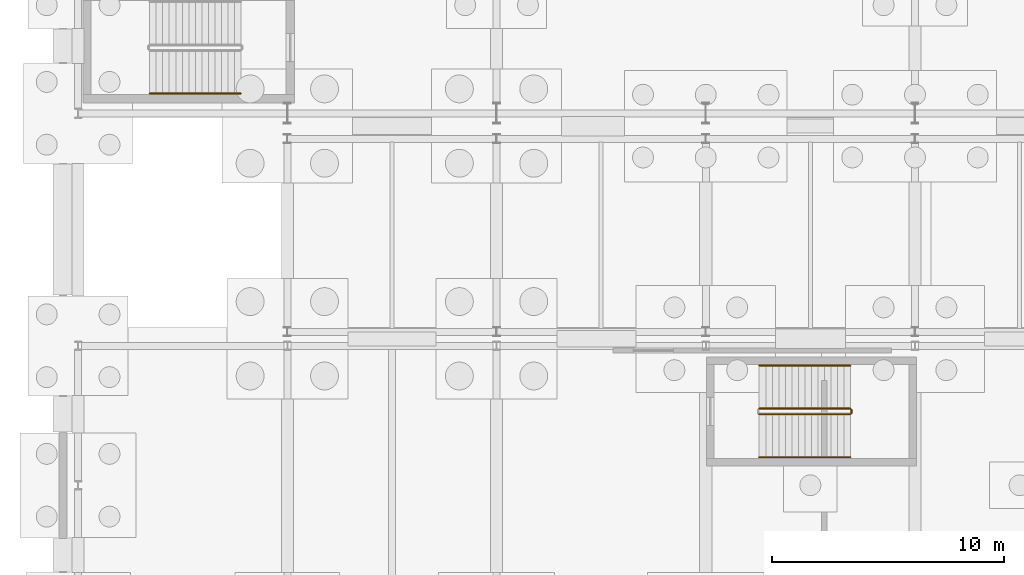
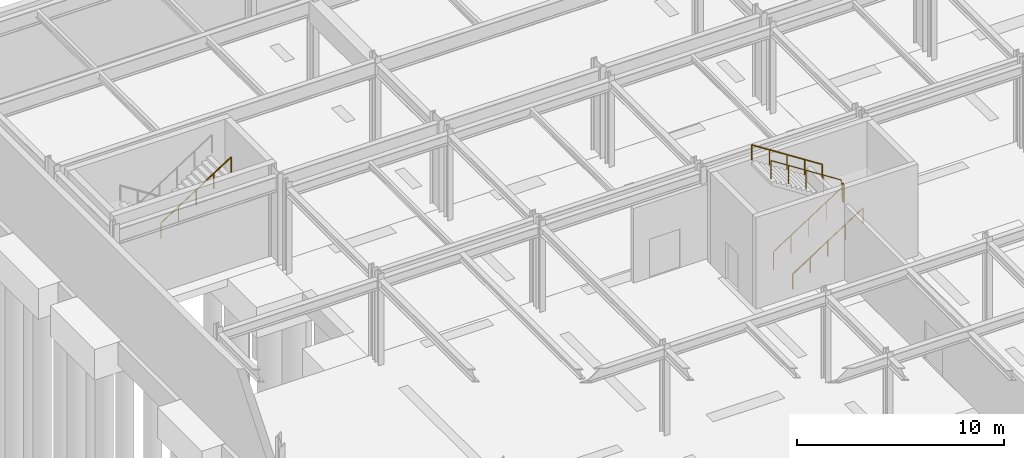
# One storey, part 55 of 65: 6 railings.
"""IFC4 building model written with IfcOpenShell, lengths in metres."""

from ifc_helpers import new_model, si_unit, direction, frame, origin, origin_2d, place, context, subcontext, project, spatial, circle, extrude, material, type_object, element, save


model = new_model("IFC4")

# Units and contexts
model_context = context("Model", 3, precision=1e-05, world=origin(), true_north=direction((0.0, 1.0)))
body_context = subcontext(model_context, "Body", "Model", "MODEL_VIEW")
ifc_project = project(units=[si_unit("LENGTHUNIT", "METRE"), si_unit("AREAUNIT", "SQUARE_METRE"), si_unit("VOLUMEUNIT", "CUBIC_METRE"), si_unit("PLANEANGLEUNIT", "RADIAN"), si_unit("MASSUNIT", "GRAM", prefix="KILO")], contexts=[model_context])

# Site, building, storey
site_placement = place(None, origin())
site = spatial("IfcSite", under=ifc_project, at=site_placement, CompositionType="ELEMENT")
building_placement = place(site_placement, origin())
building = spatial("IfcBuilding", under=site, at=building_placement, Name="Kaldris Quays Convention Centre", CompositionType="ELEMENT")
storey_placement = place(building_placement, frame((0.0, 0.0, -5.39990234375)))
storey = spatial("IfcBuildingStorey", under=building, at=storey_placement, Name="B1", CompositionType="ELEMENT", Elevation=-5.39990234375)

# Railings
ifc_material_1 = material(Name="Steel S355J2", Category="steel")
railing_type_1 = type_object("IfcRailingType", Name="INTERIOR GUARDRAIL GR01", PredefinedType="GUARDRAIL", material=ifc_material_1)
railing_1_placement = place(storey_placement, frame((49.300048828125, 43.050048828125, 0.179931640625)))
element("IfcRailing", 1, at=railing_1_placement, inside=storey, type_object=railing_type_1, Name="B1 ST07 Stair Guardrail 1", PredefinedType="GUARDRAIL", context=body_context, shape_type="SweptSolid", body=[
    extrude(circle(Radius=0.02392578125, at=origin_2d()), frame((0.0, 0.0, 1.076171875), z_axis=(0.841171666519, 0.0, 0.540768182723), x_axis=(0.0, 1.0, 0.0)), (0.0, 0.0, 1.0), 4.66015625),
    extrude(circle(Radius=0.02099609375, at=origin_2d()), origin(), (0.0, 0.0, 1.0), 1.052001953125),
    extrude(circle(Radius=0.02099609375, at=origin_2d()), frame((0.97998046875, 0.0, 0.6298828125)), (0.0, 0.0, 1.0), 1.052001953125),
    extrude(circle(Radius=0.02099609375, at=origin_2d()), frame((1.9599609375, 0.0, 1.260009765625)), (0.0, 0.0, 1.0), 1.052001953125),
    extrude(circle(Radius=0.02099609375, at=origin_2d()), frame((2.93994140625, 0.0, 1.89013671875)), (0.0, 0.0, 1.0), 1.052001953125),
    extrude(circle(Radius=0.02099609375, at=origin_2d()), frame((3.919921875, 0.0, 2.52001953125)), (0.0, 0.0, 1.0), 1.052001953125),
])
railing_2_placement = place(storey_placement, frame((53.27001953125, 43.10009765625, 2.699951171875)))
element("IfcRailing", 2, at=railing_2_placement, inside=storey, type_object=railing_type_1, Name="B1 ST07 Stair Guardrail 2", PredefinedType="GUARDRAIL", context=body_context, shape_type="SweptSolid", body=[
    extrude(circle(Radius=0.02392578125, at=origin_2d()), frame((0.0, 0.0, 1.076171875), z_axis=(0.0, 1.0, 0.0), x_axis=(-1.0, 0.0, 0.0)), (0.0, 0.0, 1.0), 0.14990234375),
    extrude(circle(Radius=0.02099609375, at=origin_2d()), origin(), (0.0, 0.0, 1.0), 1.052001953125),
    extrude(circle(Radius=0.02099609375, at=origin_2d()), frame((0.0, 0.14990234375, 0.0)), (0.0, 0.0, 1.0), 1.052001953125),
])
railing_3_placement = place(storey_placement, frame((53.219970703125, 43.300048828125, 2.8798828125)))
element("IfcRailing", 3, at=railing_3_placement, inside=storey, type_object=railing_type_1, Name="B1 ST07 Stair Guardrail 3", PredefinedType="GUARDRAIL", context=body_context, shape_type="SweptSolid", body=[
    extrude(circle(Radius=0.02392578125, at=origin_2d()), frame((0.0, 0.0, 1.076171875), z_axis=(-0.841171666519, 0.0, 0.540768182723), x_axis=(0.0, -1.0, 0.0)), (0.0, 0.0, 1.0), 4.66015625),
    extrude(circle(Radius=0.02099609375, at=origin_2d()), origin(), (0.0, 0.0, 1.0), 1.052001953125),
    extrude(circle(Radius=0.02099609375, at=origin_2d()), frame((-0.97998046875, 0.0, 0.6298828125)), (0.0, 0.0, 1.0), 1.052001953125),
    extrude(circle(Radius=0.02099609375, at=origin_2d()), frame((-1.9599609375, 0.0, 1.260009765625)), (0.0, 0.0, 1.0), 1.052001953125),
    extrude(circle(Radius=0.02099609375, at=origin_2d()), frame((-2.93994140625, 0.0, 1.89013671875)), (0.0, 0.0, 1.0), 1.052001953125),
    extrude(circle(Radius=0.02099609375, at=origin_2d()), frame((-3.919921875, 0.0, 2.52001953125)), (0.0, 0.0, 1.0), 1.052001953125),
])
ifc_material_2 = material(Name="Stainless steel 1.4301", Category="steel")
railing_type_2 = type_object("IfcRailingType", Name="STAIR HANDRAIL HR01", PredefinedType="HANDRAIL", material=ifc_material_2)
for number, where, name in (
    (4, (23.080078125, 56.85009765625, 2.8798828125), "B1 ST01 Flight Handrail 2"),
    (5, (49.300048828125, 41.199951171875, 0.179931640625), "B1 ST07 Flight Handrail 1"),
):
    element("IfcRailing", number, at=place(storey_placement, frame(where)), inside=storey, type_object=railing_type_2, Name=name, PredefinedType="HANDRAIL", context=body_context, shape_type="SweptSolid", body=[
        extrude(circle(Radius=0.02392578125, at=origin_2d()), frame((0.0, 0.0, 0.8759765625), z_axis=(0.841171666519, 0.0, 0.540768182723), x_axis=(0.0, 1.0, 0.0)), (0.0, 0.0, 1.0), 4.66015625),
        extrude(circle(Radius=0.02099609375, at=origin_2d()), origin(), (0.0, 0.0, 1.0), 0.851806640625),
        extrude(circle(Radius=0.02099609375, at=origin_2d()), frame((0.97998046875, 0.0, 0.6298828125)), (0.0, 0.0, 1.0), 0.851806640625),
        extrude(circle(Radius=0.02099609375, at=origin_2d()), frame((1.9599609375, 0.0, 1.260009765625)), (0.0, 0.0, 1.0), 0.851806640625),
        extrude(circle(Radius=0.02099609375, at=origin_2d()), frame((2.93994140625, 0.0, 1.89013671875)), (0.0, 0.0, 1.0), 0.851806640625),
        extrude(circle(Radius=0.02099609375, at=origin_2d()), frame((3.919921875, 0.0, 2.52001953125)), (0.0, 0.0, 1.0), 0.851806640625),
    ])
railing_4_placement = place(storey_placement, frame((53.219970703125, 45.14990234375, 2.8798828125)))
element("IfcRailing", 6, at=railing_4_placement, inside=storey, type_object=railing_type_2, Name="B1 ST07 Flight Handrail 2", PredefinedType="HANDRAIL", context=body_context, shape_type="SweptSolid", body=[
    extrude(circle(Radius=0.02392578125, at=origin_2d()), frame((0.0, 0.0, 0.8759765625), z_axis=(-0.841171666519, 0.0, 0.540768182723), x_axis=(0.0, -1.0, 0.0)), (0.0, 0.0, 1.0), 4.66015625),
    extrude(circle(Radius=0.02099609375, at=origin_2d()), origin(), (0.0, 0.0, 1.0), 0.851806640625),
    extrude(circle(Radius=0.02099609375, at=origin_2d()), frame((-0.97998046875, 0.0, 0.6298828125)), (0.0, 0.0, 1.0), 0.851806640625),
    extrude(circle(Radius=0.02099609375, at=origin_2d()), frame((-1.9599609375, 0.0, 1.260009765625)), (0.0, 0.0, 1.0), 0.851806640625),
    extrude(circle(Radius=0.02099609375, at=origin_2d()), frame((-2.93994140625, 0.0, 1.89013671875)), (0.0, 0.0, 1.0), 0.851806640625),
    extrude(circle(Radius=0.02099609375, at=origin_2d()), frame((-3.919921875, 0.0, 2.52001953125)), (0.0, 0.0, 1.0), 0.851806640625),
])

save(model, "model.ifc")
